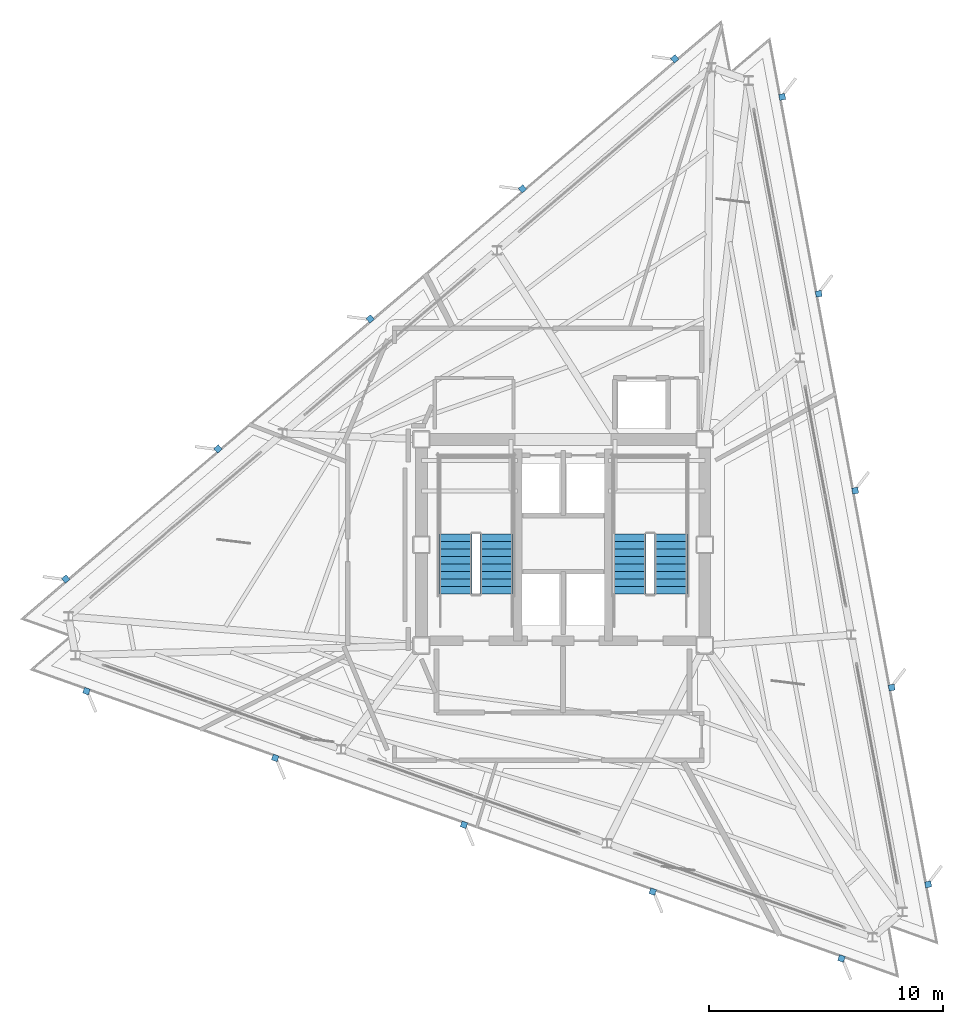
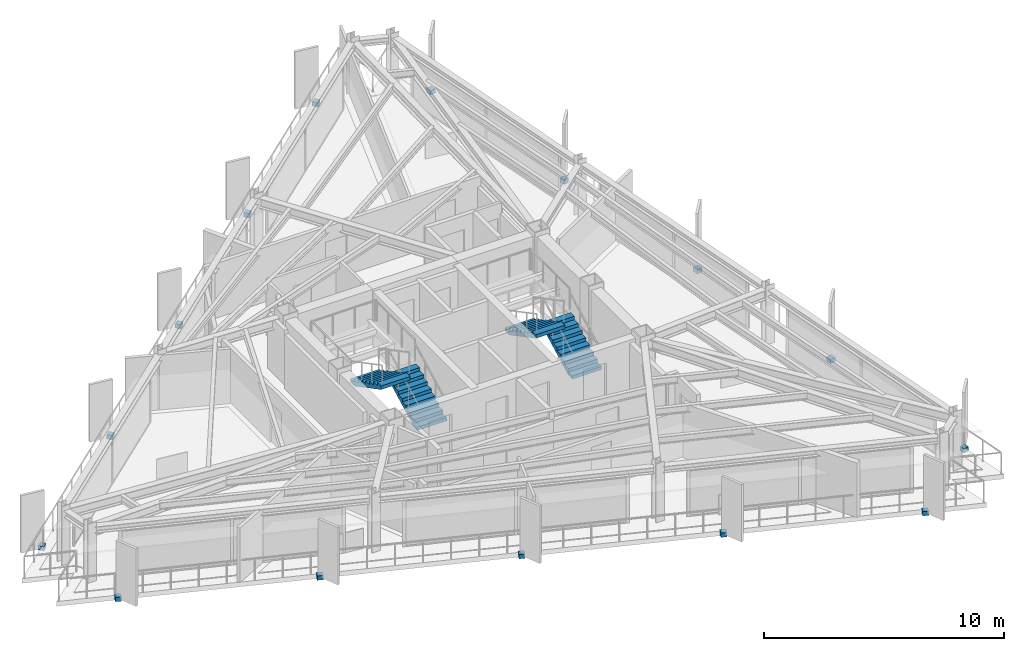
# One storey, part 10 of 14: 15 discrete accessories, 4 stair flights, 2 elements without a shape of their own.
"""IFC4 building model written with IfcOpenShell, lengths in metres."""

from ifc_helpers import new_model, si_unit, direction, frame, origin, origin_2d, place, context, subcontext, project, spatial, polyline, rectangle, outline, extrude, material, layer, layer_set, type_object, element, aggregate, save


model = new_model("IFC4")

# Units and contexts
model_context = context("Model", 3, precision=1e-05, world=origin(), true_north=direction((0.0, 1.0)))
body_context = subcontext(model_context, "Body", "Model", "MODEL_VIEW")
ifc_project = project(units=[si_unit("LENGTHUNIT", "METRE"), si_unit("AREAUNIT", "SQUARE_METRE"), si_unit("VOLUMEUNIT", "CUBIC_METRE"), si_unit("PLANEANGLEUNIT", "RADIAN"), si_unit("MASSUNIT", "GRAM", prefix="KILO")], contexts=[model_context])

# Site, building, storey
site_placement = place(None, origin())
site = spatial("IfcSite", under=ifc_project, at=site_placement, CompositionType="ELEMENT")
building_placement = place(site_placement, origin())
building = spatial("IfcBuilding", under=site, at=building_placement, Name="Rocaltana Carrier Exchange", CompositionType="ELEMENT")
storey_placement = place(building_placement, frame((0.0, 0.0, 178.39990234375)))
storey = spatial("IfcBuildingStorey", under=building, at=storey_placement, Name="L56", CompositionType="ELEMENT", Elevation=178.39990234375)

# Stair, stair flights
ifc_material_1 = material(Name="Precast concrete C45/55", Category="concrete")
stair_type = type_object("IfcStairType", Name="Standard Dog-Leg Stair 160", PredefinedType="HALF_TURN_STAIR", material=ifc_material_1)
stair_1_placement = place(storey_placement, origin())
stair_1 = element("IfcStair", 1, at=stair_1_placement, inside=storey, type_object=stair_type, Name="L56 Core West Exit Stair ST-1", PredefinedType="HALF_TURN_STAIR")
ifc_material_2 = material(Name="Precast concrete C45/55", Category="concrete")
stair_flight_type = type_object("IfcStairFlightType", Name="Precast Stair Flight 160", PredefinedType="STRAIGHT", material=ifc_material_2)
stair_flight_1_placement = place(storey_placement, frame((-2.840087890625, -2.10009765625, 0.0), z_axis=(0.0, 0.0, 1.0), x_axis=(0.0, 1.0, 0.0)))
stair_flight_1 = element("IfcStairFlight", 2, at=stair_flight_1_placement, type_object=stair_flight_type, Name="ST-1 flight 1", NumberOfRisers=9, NumberOfTreads=8, PredefinedType="STRAIGHT", RiserHeight=0.168888889, TreadLength=0.32, context=body_context, shape_type="SweptSolid", body=[
    extrude(outline(polyline([(0.0, 0.0), (0.0, 0.1689453125), (0.320068359375, 0.1689453125), (0.320068359375, 0.337890625), (0.639892578125, 0.337890625), (0.639892578125, 0.506591796875), (0.9599609375, 0.506591796875), (0.9599609375, 0.675537109375), (1.280029296875, 0.675537109375), (1.280029296875, 0.844482421875), (1.60009765625, 0.844482421875), (1.60009765625, 1.013427734375), (1.919921875, 1.013427734375), (1.919921875, 1.18212890625), (2.239990234375, 1.18212890625), (2.239990234375, 1.35107421875), (2.56005859375, 1.35107421875), (2.56005859375, 1.52001953125), (2.56005859375, 1.17041015625), (0.342529296875, 0.0), (0.0, 0.0)])), frame((0.0, 0.699951171875, 0.0), z_axis=(0.0, -1.0, 0.0), x_axis=(1.0, 0.0, 0.0)), (0.0, 0.0, 1.0), 1.39990234375),
])
stair_flight_2_placement = place(storey_placement, frame((-4.60009765625, 0.4599609375, 1.52001953125), z_axis=(0.0, 0.0, 1.0), x_axis=(0.0, -1.0, 0.0)))
stair_flight_2 = element("IfcStairFlight", 3, at=stair_flight_2_placement, type_object=stair_flight_type, Name="ST-1 flight 2", NumberOfRisers=9, NumberOfTreads=8, PredefinedType="STRAIGHT", RiserHeight=0.168888889, TreadLength=0.32, context=body_context, shape_type="SweptSolid", body=[
    extrude(outline(polyline([(0.0, 0.0), (0.0, 0.1689453125), (0.320068359375, 0.1689453125), (0.320068359375, 0.337890625), (0.639892578125, 0.337890625), (0.639892578125, 0.506591796875), (0.9599609375, 0.506591796875), (0.9599609375, 0.675537109375), (1.280029296875, 0.675537109375), (1.280029296875, 0.844482421875), (1.60009765625, 0.844482421875), (1.60009765625, 1.013427734375), (1.919921875, 1.013427734375), (1.919921875, 1.18212890625), (2.239990234375, 1.18212890625), (2.239990234375, 1.35107421875), (2.56005859375, 1.35107421875), (2.56005859375, 1.52001953125), (2.56005859375, 1.17041015625), (0.342529296875, 0.0), (0.0, 0.0)])), frame((0.0, 0.699951171875, 0.0), z_axis=(0.0, -1.0, 0.0), x_axis=(1.0, 0.0, 0.0)), (0.0, 0.0, 1.0), 1.39990234375),
])
aggregate(stair_1, [stair_flight_1, stair_flight_2])

stair_2_placement = place(storey_placement, origin())
stair_2 = element("IfcStair", 4, at=stair_2_placement, inside=storey, type_object=stair_type, Name="L56 Core East Exit Stair ST-2", PredefinedType="HALF_TURN_STAIR")
stair_flight_3_placement = place(storey_placement, frame((4.60009765625, -2.10009765625, 0.0), z_axis=(0.0, 0.0, 1.0), x_axis=(0.0, 1.0, 0.0)))
stair_flight_3 = element("IfcStairFlight", 5, at=stair_flight_3_placement, type_object=stair_flight_type, Name="ST-2 flight 1", NumberOfRisers=9, NumberOfTreads=8, PredefinedType="STRAIGHT", RiserHeight=0.168888889, TreadLength=0.32, context=body_context, shape_type="SweptSolid", body=[
    extrude(outline(polyline([(0.0, 0.0), (0.0, 0.1689453125), (0.320068359375, 0.1689453125), (0.320068359375, 0.337890625), (0.639892578125, 0.337890625), (0.639892578125, 0.506591796875), (0.9599609375, 0.506591796875), (0.9599609375, 0.675537109375), (1.280029296875, 0.675537109375), (1.280029296875, 0.844482421875), (1.60009765625, 0.844482421875), (1.60009765625, 1.013427734375), (1.919921875, 1.013427734375), (1.919921875, 1.18212890625), (2.239990234375, 1.18212890625), (2.239990234375, 1.35107421875), (2.56005859375, 1.35107421875), (2.56005859375, 1.52001953125), (2.56005859375, 1.17041015625), (0.342529296875, 0.0), (0.0, 0.0)])), frame((0.0, 0.699951171875, 0.0), z_axis=(0.0, -1.0, 0.0), x_axis=(1.0, 0.0, 0.0)), (0.0, 0.0, 1.0), 1.39990234375),
])
stair_flight_4_placement = place(storey_placement, frame((2.840087890625, 0.4599609375, 1.52001953125), z_axis=(0.0, 0.0, 1.0), x_axis=(0.0, -1.0, 0.0)))
stair_flight_4 = element("IfcStairFlight", 6, at=stair_flight_4_placement, type_object=stair_flight_type, Name="ST-2 flight 2", NumberOfRisers=9, NumberOfTreads=8, PredefinedType="STRAIGHT", RiserHeight=0.168888889, TreadLength=0.32, context=body_context, shape_type="SweptSolid", body=[
    extrude(outline(polyline([(0.0, 0.0), (0.0, 0.1689453125), (0.320068359375, 0.1689453125), (0.320068359375, 0.337890625), (0.639892578125, 0.337890625), (0.639892578125, 0.506591796875), (0.9599609375, 0.506591796875), (0.9599609375, 0.675537109375), (1.280029296875, 0.675537109375), (1.280029296875, 0.844482421875), (1.60009765625, 0.844482421875), (1.60009765625, 1.013427734375), (1.919921875, 1.013427734375), (1.919921875, 1.18212890625), (2.239990234375, 1.18212890625), (2.239990234375, 1.35107421875), (2.56005859375, 1.35107421875), (2.56005859375, 1.52001953125), (2.56005859375, 1.17041015625), (0.342529296875, 0.0), (0.0, 0.0)])), frame((0.0, 0.699951171875, 0.0), z_axis=(0.0, -1.0, 0.0), x_axis=(1.0, 0.0, 0.0)), (0.0, 0.0, 1.0), 1.39990234375),
])
aggregate(stair_2, [stair_flight_3, stair_flight_4])

# Discrete accessories
ifc_material_3 = material(Name="Brushed Architectural Stainless Metal", Category="steel")
ifc_layer = layer(ifc_material_3, 0.219970703125)
ifc_layer_set = layer_set([ifc_layer], Name="Brushed Architectural Stainless Metal")
discrete_accessory_type = type_object("IfcDiscreteAccessoryType", Name="Stainless Fin Slab-Edge Bracket 260x260x220", PredefinedType="BRACKET", material=ifc_layer_set)
for number, where, z_axis, x_axis, name in (
    (7, (15.587890625, -14.502197265625, -0.2099609375), (0.0, 0.0, 1.0), (-0.182235525492, 0.983254907564, 0.0), "L56 Sandstone Fin Edge Bracket F1-01"),
    (8, (14.02978515625, -6.095458984375, -0.2099609375), (0.0, 0.0, 1.0), (-0.182235525492, 0.983254907564, 0.0), "L56 Sandstone Fin Edge Bracket F1-02"),
    (9, (12.4716796875, 2.3115234375, -0.2099609375), (0.0, 0.0, 1.0), (-0.182235525492, 0.983254907564, 0.0), "L56 Sandstone Fin Edge Bracket F1-03"),
    (10, (10.91357421875, 10.71826171875, -0.2099609375), (0.0, 0.0, 1.0), (-0.182235525492, 0.983254907564, 0.0), "L56 Sandstone Fin Edge Bracket F1-04"),
    (11, (9.355224609375, 19.125, -0.2099609375), (0.0, 0.0, 1.0), (-0.182235525492, 0.983254907564, 0.0), "L56 Sandstone Fin Edge Bracket F1-05"),
    (12, (4.765380859375, 20.75048828125, -0.2099609375), (0.0, 0.0, 1.0), (-0.7604059656, -0.64944804833, 0.0), "L56 Sandstone Fin Edge Bracket F2-01"),
    (13, (-1.736083984375, 15.19775390625, -0.2099609375), (0.0, 0.0, 1.0), (-0.7604059656, -0.64944804833, 0.0), "L56 Sandstone Fin Edge Bracket F2-02"),
    (14, (-8.237548828125, 9.64501953125, -0.2099609375), (0.0, 0.0, 1.0), (-0.7604059656, -0.64944804833, 0.0), "L56 Sandstone Fin Edge Bracket F2-03"),
    (15, (-14.739013671875, 4.09228515625, -0.2099609375), (0.0, 0.0, 1.0), (-0.7604059656, -0.64944804833, 0.0), "L56 Sandstone Fin Edge Bracket F2-04"),
    (16, (-21.240478515625, -1.460693359375, -0.2099609375), (0.0, 0.0, 1.0), (-0.7604059656, -0.64944804833, 0.0), "L56 Sandstone Fin Edge Bracket F2-05"),
    (17, (-20.353271484375, -6.248291015625, -0.2099609375), (0.0, 0.0, 1.0), (0.942641491092, -0.333806859234, 0.0), "L56 Sandstone Fin Edge Bracket F3-01"),
    (18, (-12.293701171875, -9.102294921875, -0.2099609375), (0.0, 0.0, 1.0), (0.942641491092, -0.333806859234, 0.0), "L56 Sandstone Fin Edge Bracket F3-02"),
    (19, (-4.23388671875, -11.956298828125, -0.2099609375), (0.0, 0.0, 1.0), (0.942641491092, -0.333806859234, 0.0), "L56 Sandstone Fin Edge Bracket F3-03"),
    (20, (3.82568359375, -14.810546875, -0.2099609375), (0.0, 0.0, 1.0), (0.942641491092, -0.333806859234, 0.0), "L56 Sandstone Fin Edge Bracket F3-04"),
    (21, (11.88525390625, -17.66455078125, -0.2099609375), (0.0, 0.0, 1.0), (0.942641491092, -0.333806859234, 0.0), "L56 Sandstone Fin Edge Bracket F3-05"),
):
    element("IfcDiscreteAccessory", number, at=place(storey_placement, frame(where, z_axis=z_axis, x_axis=x_axis)), inside=storey, type_object=discrete_accessory_type, Name=name, PredefinedType="BRACKET", context=body_context, shape_type="SweptSolid", body=[
        extrude(rectangle(XDim=0.260009765625, YDim=0.260009765625, at=origin_2d()), origin(), (0.0, 0.0, 1.0), 0.219970703125),
    ])

save(model, "model.ifc")
